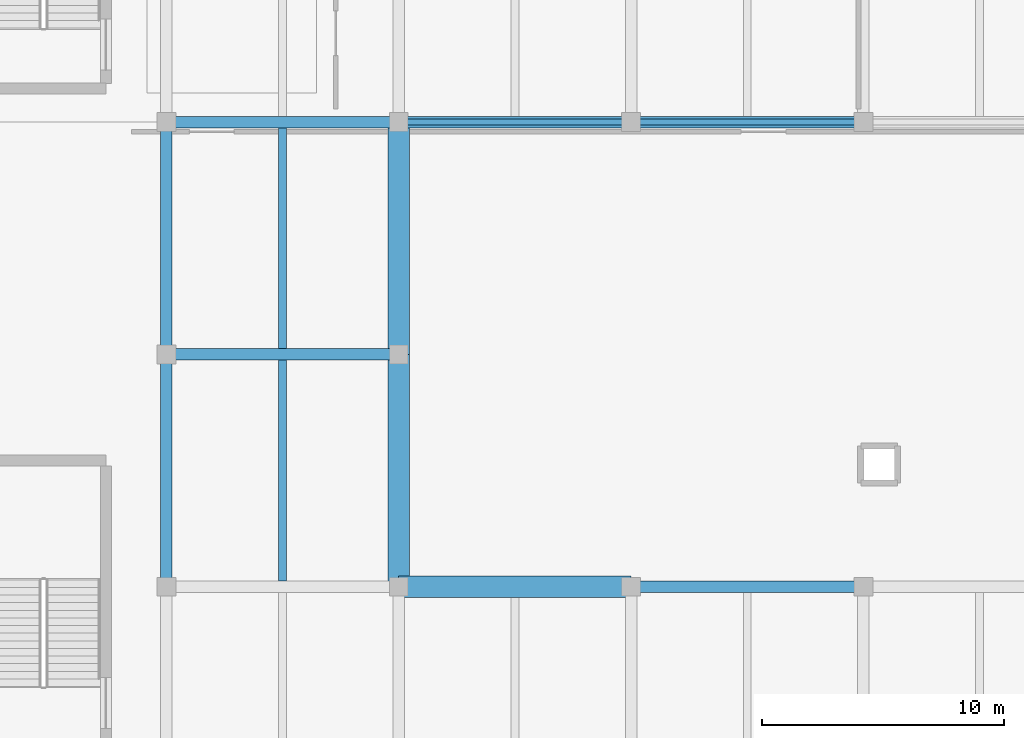
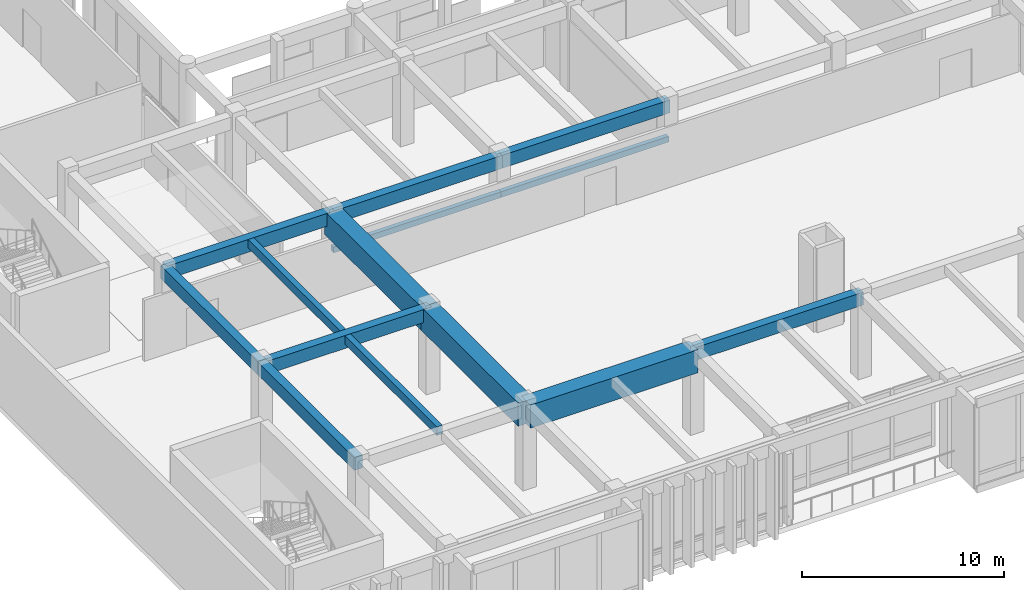
# One storey, part 17 of 134: 14 beams.
"""IFC4 building model written with IfcOpenShell, lengths in metres."""

from ifc_helpers import new_model, si_unit, direction, frame, origin, origin_2d, place, context, subcontext, project, spatial, rectangle, extrude, material, material_profile, profile_set, type_object, element, save


model = new_model("IFC4")

# Units and contexts
model_context = context("Model", 3, precision=1e-05, world=origin(), true_north=direction((0.0, 1.0)))
body_context = subcontext(model_context, "Body", "Model", "MODEL_VIEW")
ifc_project = project(units=[si_unit("LENGTHUNIT", "METRE"), si_unit("AREAUNIT", "SQUARE_METRE"), si_unit("VOLUMEUNIT", "CUBIC_METRE"), si_unit("PLANEANGLEUNIT", "RADIAN"), si_unit("MASSUNIT", "GRAM", prefix="KILO")], contexts=[model_context])

# Site, building, storey
site_placement = place(None, origin())
site = spatial("IfcSite", under=ifc_project, at=site_placement, CompositionType="ELEMENT")
building_placement = place(site_placement, origin())
building = spatial("IfcBuilding", under=site, at=building_placement, Name="Nakhvara Creek Congress Hotel", CompositionType="ELEMENT")
storey_placement = place(building_placement, frame((0.0, 0.0, 6.0)))
storey = spatial("IfcBuildingStorey", under=building, at=storey_placement, Name="L01", CompositionType="ELEMENT", Elevation=6.0)

# Beams
ifc_material_1 = material(Name="Concrete C40/50", Category="concrete")
ifc_material_profile_1 = material_profile(ifc_material_1, rectangle(XDim=0.25, YDim=0.35009765625, at=origin_2d()), Name="RC-LINTEL 250x350", Category="LoadBearing")
ifc_profile_set_1 = profile_set([ifc_material_profile_1], Name="Concrete C40/50")
beam_type_1 = type_object("IfcBeamType", Name="BM-LIN-250X350", PredefinedType="LINTEL", material=ifc_profile_set_1)
beam_1_placement = place(storey_placement, frame((76.800048828125, 28.800048828125, 2.64990234375), z_axis=(1.0, 0.0, 0.0), x_axis=(0.0, 1.0, 0.0)))
element("IfcBeam", 1, at=beam_1_placement, inside=storey, type_object=beam_type_1, Name="Opening Lintel Beam 05", PredefinedType="LINTEL", context=body_context, shape_type="SweptSolid", body=[
    extrude(rectangle(XDim=0.25, YDim=0.35009765625, at=origin_2d()), origin(), (0.0, 0.0, 1.0), 9.599853515625),
])
beam_2_placement = place(storey_placement, frame((86.39990234375, 28.800048828125, 2.64990234375), z_axis=(1.0, 0.0, 0.0), x_axis=(0.0, 1.0, 0.0)))
element("IfcBeam", 2, at=beam_2_placement, inside=storey, type_object=beam_type_1, Name="Opening Lintel Beam 06", PredefinedType="LINTEL", context=body_context, shape_type="SweptSolid", body=[
    extrude(rectangle(XDim=0.25, YDim=0.35009765625, at=origin_2d()), origin(), (0.0, 0.0, 1.0), 9.60009765625),
])
ifc_material_profile_2 = material_profile(ifc_material_1, rectangle(XDim=0.320068359375, YDim=0.52001953125, at=origin_2d()), Name="RC-BM 320x520", Category="LoadBearing")
ifc_profile_set_2 = profile_set([ifc_material_profile_2], Name="Concrete C40/50")
beam_type_2 = type_object("IfcBeamType", Name="BM-RC-320X520", PredefinedType="JOIST", material=ifc_profile_set_2)
beam_3_placement = place(storey_placement, frame((72.0, 9.840087890625, 4.840087890625), z_axis=(0.0, 1.0, 0.0), x_axis=(-1.0, 0.0, 0.0)))
element("IfcBeam", 3, at=beam_3_placement, inside=storey, type_object=beam_type_2, Name="Secondary Joist BJ2-L01-1363", PredefinedType="JOIST", context=body_context, shape_type="SweptSolid", body=[
    extrude(rectangle(XDim=0.320068359375, YDim=0.52001953125, at=origin_2d()), origin(), (0.0, 0.0, 1.0), 9.119873046875),
])
beam_4_placement = place(storey_placement, frame((72.0, 19.43994140625, 4.840087890625), z_axis=(0.0, 1.0, 0.0), x_axis=(-1.0, 0.0, 0.0)))
element("IfcBeam", 4, at=beam_4_placement, inside=storey, type_object=beam_type_2, Name="Secondary Joist BJ2-L01-1364", PredefinedType="JOIST", context=body_context, shape_type="SweptSolid", body=[
    extrude(rectangle(XDim=0.320068359375, YDim=0.52001953125, at=origin_2d()), origin(), (0.0, 0.0, 1.0), 9.1201171875),
])
ifc_material_profile_3 = material_profile(ifc_material_1, rectangle(XDim=0.47998046875, YDim=0.780029296875, at=origin_2d()), Name="RC-BM 480x780", Category="LoadBearing")
ifc_profile_set_3 = profile_set([ifc_material_profile_3], Name="Concrete C40/50")
beam_type_3 = type_object("IfcBeamType", Name="BM-RC-480X780", PredefinedType="BEAM", material=ifc_profile_set_3)
beam_5_placement = place(storey_placement, frame((67.199951171875, 9.60009765625, 4.7099609375), z_axis=(0.0, 1.0, 0.0), x_axis=(-1.0, 0.0, 0.0)))
element("IfcBeam", 5, at=beam_5_placement, inside=storey, type_object=beam_type_3, Name="Beam B13-L01-1138", PredefinedType="BEAM", context=body_context, shape_type="SweptSolid", body=[
    extrude(rectangle(XDim=0.47998046875, YDim=0.780029296875, at=origin_2d()), origin(), (0.0, 0.0, 1.0), 9.599853515625),
])
for number, where, z_axis, x_axis, name in (
    (6, (67.199951171875, 19.199951171875, 4.7099609375), (0.0, 1.0, 0.0), (-1.0, 0.0, 0.0), "Beam B13-L01-1140"),
    (7, (67.199951171875, 19.199951171875, 4.7099609375), (1.0, 0.0, 0.0), (0.0, 1.0, 0.0), "Beam B13-L01-1141"),
    (8, (67.199951171875, 28.800048828125, 4.7099609375), (1.0, 0.0, 0.0), (0.0, 1.0, 0.0), "Beam B13-L01-1143"),
):
    element("IfcBeam", number, at=place(storey_placement, frame(where, z_axis=z_axis, x_axis=x_axis)), inside=storey, type_object=beam_type_3, Name=name, PredefinedType="BEAM", context=body_context, shape_type="SweptSolid", body=[
        extrude(rectangle(XDim=0.47998046875, YDim=0.780029296875, at=origin_2d()), origin(), (0.0, 0.0, 1.0), 9.60009765625),
    ])
beam_6_placement = place(storey_placement, frame((76.800048828125, 28.800048828125, 4.7099609375), z_axis=(1.0, 0.0, 0.0), x_axis=(0.0, 1.0, 0.0)))
element("IfcBeam", 9, at=beam_6_placement, inside=storey, type_object=beam_type_3, Name="Beam B13-L01-1151", PredefinedType="BEAM", context=body_context, shape_type="SweptSolid", body=[
    extrude(rectangle(XDim=0.47998046875, YDim=0.780029296875, at=origin_2d()), origin(), (0.0, 0.0, 1.0), 9.599853515625),
])
for number, where, z_axis, x_axis, name in (
    (10, (86.39990234375, 9.60009765625, 4.7099609375), (1.0, 0.0, 0.0), (0.0, 1.0, 0.0), "Beam B13-L01-1166"),
    (11, (86.39990234375, 28.800048828125, 4.7099609375), (1.0, 0.0, 0.0), (0.0, 1.0, 0.0), "Beam B13-L01-1168"),
):
    element("IfcBeam", number, at=place(storey_placement, frame(where, z_axis=z_axis, x_axis=x_axis)), inside=storey, type_object=beam_type_3, Name=name, PredefinedType="BEAM", context=body_context, shape_type="SweptSolid", body=[
        extrude(rectangle(XDim=0.47998046875, YDim=0.780029296875, at=origin_2d()), origin(), (0.0, 0.0, 1.0), 9.60009765625),
    ])
ifc_material_2 = material(Name="Concrete C50/60", Category="concrete")
ifc_material_profile_4 = material_profile(ifc_material_2, rectangle(XDim=0.89990234375, YDim=1.39990234375, at=origin_2d()), Name="RC-TG 900x1400", Category="LoadBearing")
ifc_profile_set_4 = profile_set([ifc_material_profile_4], Name="Concrete C50/60")
beam_type_4 = type_object("IfcBeamType", Name="BM-TG1-1400", PredefinedType="BEAM", material=ifc_profile_set_4)
for number, where, z_axis, x_axis, name in (
    (12, (76.800048828125, 9.60009765625, 4.39990234375), (0.0, 1.0, 0.0), (-1.0, 0.0, 0.0), "Transfer Girder TG1-L01-1147"),
    (13, (76.800048828125, 9.60009765625, 4.39990234375), (1.0, 0.0, 0.0), (0.0, 1.0, 0.0), "Beam TG1-L01-1148"),
):
    element("IfcBeam", number, at=place(storey_placement, frame(where, z_axis=z_axis, x_axis=x_axis)), inside=storey, type_object=beam_type_4, Name=name, PredefinedType="BEAM", context=body_context, shape_type="SweptSolid", body=[
        extrude(rectangle(XDim=0.89990234375, YDim=1.39990234375, at=origin_2d()), origin(), (0.0, 0.0, 1.0), 9.599853515625),
    ])
beam_7_placement = place(storey_placement, frame((76.800048828125, 19.199951171875, 4.39990234375), z_axis=(0.0, 1.0, 0.0), x_axis=(-1.0, 0.0, 0.0)))
element("IfcBeam", 14, at=beam_7_placement, inside=storey, type_object=beam_type_4, Name="Transfer Girder TG1-L01-1149", PredefinedType="BEAM", context=body_context, shape_type="SweptSolid", body=[
    extrude(rectangle(XDim=0.89990234375, YDim=1.39990234375, at=origin_2d()), origin(), (0.0, 0.0, 1.0), 9.60009765625),
])

save(model, "model.ifc")
